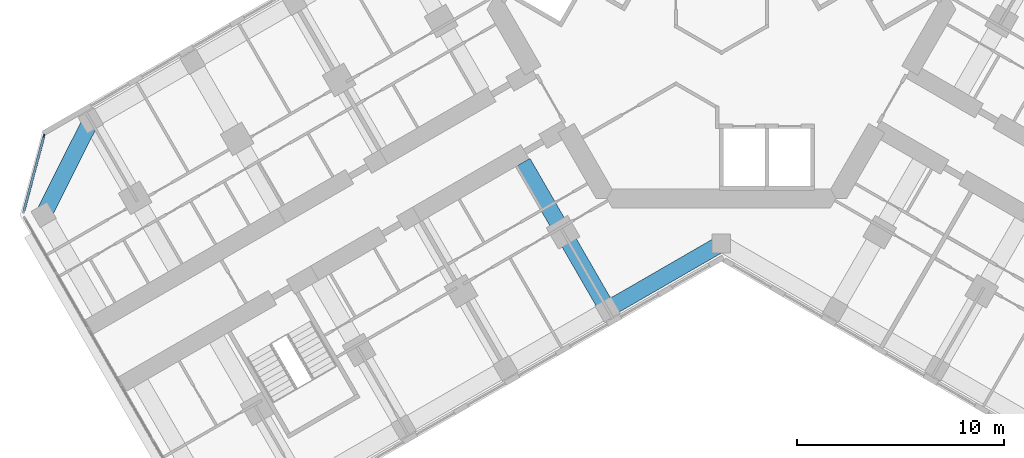
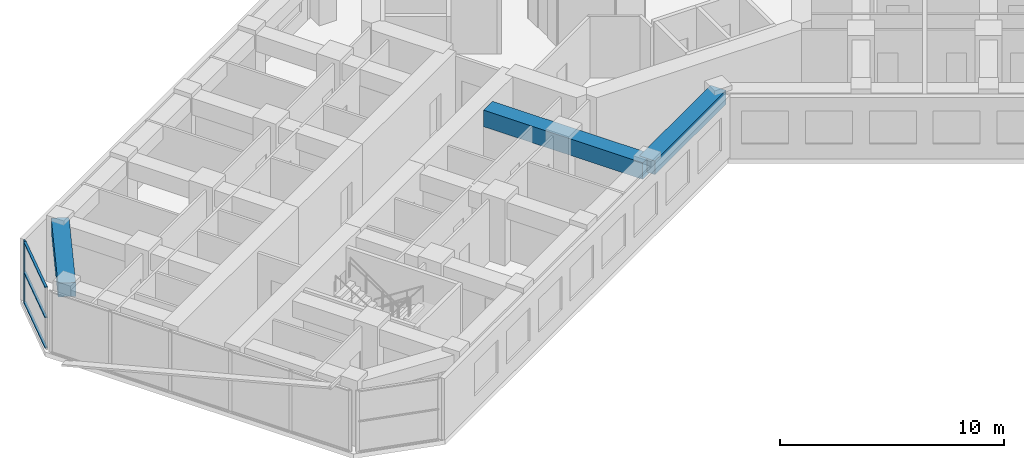
# One storey, part 3 of 19: 4 members, 3 beams, 1 element without a shape of its own.
"""IFC4 building model written with IfcOpenShell, lengths in metres."""

from ifc_helpers import new_model, si_unit, direction, frame, origin, origin_2d, place, context, subcontext, project, spatial, rectangle, extrude, material, material_profile, profile_set, type_object, element, aggregate, save


model = new_model("IFC4")

# Units and contexts
model_context = context("Model", 3, precision=1e-05, world=origin(), true_north=direction((0.0, 1.0)))
body_context = subcontext(model_context, "Body", "Model", "MODEL_VIEW")
ifc_project = project(units=[si_unit("LENGTHUNIT", "METRE"), si_unit("AREAUNIT", "SQUARE_METRE"), si_unit("VOLUMEUNIT", "CUBIC_METRE"), si_unit("PLANEANGLEUNIT", "RADIAN"), si_unit("MASSUNIT", "GRAM", prefix="KILO")], contexts=[model_context])

# Site, building, storey
site_placement = place(None, origin())
site = spatial("IfcSite", under=ifc_project, at=site_placement, CompositionType="ELEMENT")
building_placement = place(site_placement, origin())
building = spatial("IfcBuilding", under=site, at=building_placement, Name="Kosmar Iwan School Tower", CompositionType="ELEMENT")
storey_placement = place(building_placement, frame((0.0, 0.0, 161.60009765625)))
storey = spatial("IfcBuildingStorey", under=building, at=storey_placement, Name="L40", CompositionType="ELEMENT", Elevation=161.60009765625)

# Curtain wall, member
ifc_material_1 = material(Name="Dark glass in black aluminium frame", Category="aluminium")
curtain_wall_type = type_object("IfcCurtainWallType", Name="Chamfer curtain wall dark glass", PredefinedType="USERDEFINED", material=ifc_material_1)
curtain_wall_placement = place(storey_placement, origin())
curtain_wall = element("IfcCurtainWall", 1, at=curtain_wall_placement, inside=storey, type_object=curtain_wall_type, Name="Curtain wall L40-F12", ObjectType="FACETED CURTAIN WALL", PredefinedType="USERDEFINED")
ifc_material_2 = material(Name="Black anodised aluminium", Category="aluminium")
ifc_material_profile_1 = material_profile(ifc_material_2, rectangle(XDim=0.06005859375, YDim=0.159912109375, at=origin_2d()), Name="MULLION 60x160")
ifc_profile_set_1 = profile_set([ifc_material_profile_1], Name="Black anodised aluminium")
member_type_1 = type_object("IfcMemberType", Name="Mullion 60x160", PredefinedType="MULLION", material=ifc_profile_set_1)
member_1_placement = place(storey_placement, frame((-32.78076171875, -6.5732421875, 0.0), z_axis=(0.0, 0.0, 1.0), x_axis=(0.965925875495, -0.258818861462, 0.0)))
member_1 = element("IfcMember", 2, at=member_1_placement, type_object=member_type_1, Name="CW2 mullion 1", PredefinedType="MULLION", context=body_context, shape_type="SweptSolid", body=[
    extrude(rectangle(XDim=0.06005859375, YDim=0.159912109375, at=origin_2d()), origin(), (0.0, 0.0, 1.0), 3.349853515625),
])

# Beams
ifc_material_3 = material(Name="Concrete C50/60", Category="concrete")
ifc_material_profile_2 = material_profile(ifc_material_3, rectangle(XDim=0.800048828125, YDim=0.75, at=origin_2d()), Name="RC 800x750")
ifc_profile_set_2 = profile_set([ifc_material_profile_2], Name="Concrete C50/60")
beam_type_1 = type_object("IfcBeamType", Name="RC edge beam 800x750", PredefinedType="BEAM", material=ifc_profile_set_2)
beam_1_placement = place(storey_placement, frame((0.0, -11.77783203125, 2.974853515625), z_axis=(-0.866014293216, -0.500019243575, 0.0), x_axis=(0.500019243575, -0.866014293216, 0.0)))
element("IfcBeam", 3, at=beam_1_placement, inside=storey, type_object=beam_type_1, Name="Edge beam BL1", PredefinedType="BEAM", context=body_context, shape_type="SweptSolid", body=[
    extrude(rectangle(XDim=0.800048828125, YDim=0.75, at=origin_2d()), origin(), (0.0, 0.0, 1.0), 6.361083984375),
])
ifc_material_4 = material(Name="Concrete C50/60", Category="concrete")
ifc_material_profile_3 = material_profile(ifc_material_4, rectangle(XDim=0.800048828125, YDim=0.75, at=origin_2d()), Name="RC 800x750")
ifc_profile_set_3 = profile_set([ifc_material_profile_3], Name="Concrete C50/60")
beam_type_2 = type_object("IfcBeamType", Name="RC tip beam 800x750", PredefinedType="BEAM", material=ifc_profile_set_3)
beam_2_placement = place(storey_placement, frame((-30.517822265625, -5.841552734375, 2.974853515625), z_axis=(-0.44809604203, -0.893985423325, 0.0), x_axis=(0.893985423325, -0.44809604203, 0.0)))
element("IfcBeam", 4, at=beam_2_placement, inside=storey, type_object=beam_type_2, Name="Tip beam BR", PredefinedType="BEAM", context=body_context, shape_type="SweptSolid", body=[
    extrude(rectangle(XDim=0.800048828125, YDim=0.75, at=origin_2d()), origin(), (0.0, 0.0, 1.0), 5.08935546875),
])
ifc_material_5 = material(Name="Concrete C50/60", Category="concrete")
ifc_material_profile_4 = material_profile(ifc_material_5, rectangle(XDim=0.800048828125, YDim=0.89990234375, at=origin_2d()), Name="RC 800x900")
ifc_profile_set_4 = profile_set([ifc_material_profile_4], Name="Concrete C50/60")
beam_type_3 = type_object("IfcBeamType", Name="RC transverse beam 800x900", PredefinedType="BEAM", material=ifc_profile_set_4)
beam_3_placement = place(storey_placement, frame((-5.5087890625, -14.95849609375, 2.89990234375), z_axis=(-0.500000789788, 0.8660249478, 0.0), x_axis=(-0.8660249478, -0.500000789788, 0.0)))
element("IfcBeam", 5, at=beam_3_placement, inside=storey, type_object=beam_type_3, Name="Transverse beam BL1", PredefinedType="BEAM", context=body_context, shape_type="SweptSolid", body=[
    extrude(rectangle(XDim=0.800048828125, YDim=0.89990234375, at=origin_2d()), origin(), (0.0, 0.0, 1.0), 8.2001953125),
])

# Member
ifc_material_6 = material(Name="Black anodised aluminium", Category="aluminium")
ifc_material_profile_5 = material_profile(ifc_material_6, rectangle(XDim=0.1201171875, YDim=0.06005859375, at=origin_2d()), Name="TRANSOM 60x120")
ifc_profile_set_5 = profile_set([ifc_material_profile_5], Name="Black anodised aluminium")
member_type_2 = type_object("IfcMemberType", Name="Transom 60x120", PredefinedType="USERDEFINED", material=ifc_profile_set_5)
member_2_placement = place(storey_placement, frame((-32.788330078125, -6.602294921875, 0.02978515625), z_axis=(-0.258843273983, -0.965919333854, 0.0), x_axis=(0.965919333854, -0.258843273983, 0.0)))
member_2 = element("IfcMember", 6, at=member_2_placement, type_object=member_type_2, Name="CW2 transom 1.1", ObjectType="TRANSOM", PredefinedType="USERDEFINED", context=body_context, shape_type="SweptSolid", body=[
    extrude(rectangle(XDim=0.1201171875, YDim=0.06005859375, at=origin_2d()), origin(), (0.0, 0.0, 1.0), 3.718994140625),
])

member_3_placement = place(storey_placement, frame((-32.788330078125, -6.602294921875, 1.6748046875), z_axis=(-0.258843273983, -0.965919333854, 0.0), x_axis=(0.965919333854, -0.258843273983, 0.0)))
member_3 = element("IfcMember", 7, at=member_3_placement, type_object=member_type_2, Name="CW2 transom 1.2", ObjectType="TRANSOM", PredefinedType="USERDEFINED", context=body_context, shape_type="SweptSolid", body=[
    extrude(rectangle(XDim=0.1201171875, YDim=0.06005859375, at=origin_2d()), origin(), (0.0, 0.0, 1.0), 3.718994140625),
])

member_4_placement = place(storey_placement, frame((-32.788330078125, -6.602294921875, 3.31982421875), z_axis=(-0.258843273983, -0.965919333854, 0.0), x_axis=(0.965919333854, -0.258843273983, 0.0)))
member_4 = element("IfcMember", 8, at=member_4_placement, type_object=member_type_2, Name="CW2 transom 1.3", ObjectType="TRANSOM", PredefinedType="USERDEFINED", context=body_context, shape_type="SweptSolid", body=[
    extrude(rectangle(XDim=0.1201171875, YDim=0.06005859375, at=origin_2d()), origin(), (0.0, 0.0, 1.0), 3.718994140625),
])

aggregate(curtain_wall, [member_1, member_2, member_3, member_4])

save(model, "model.ifc")
